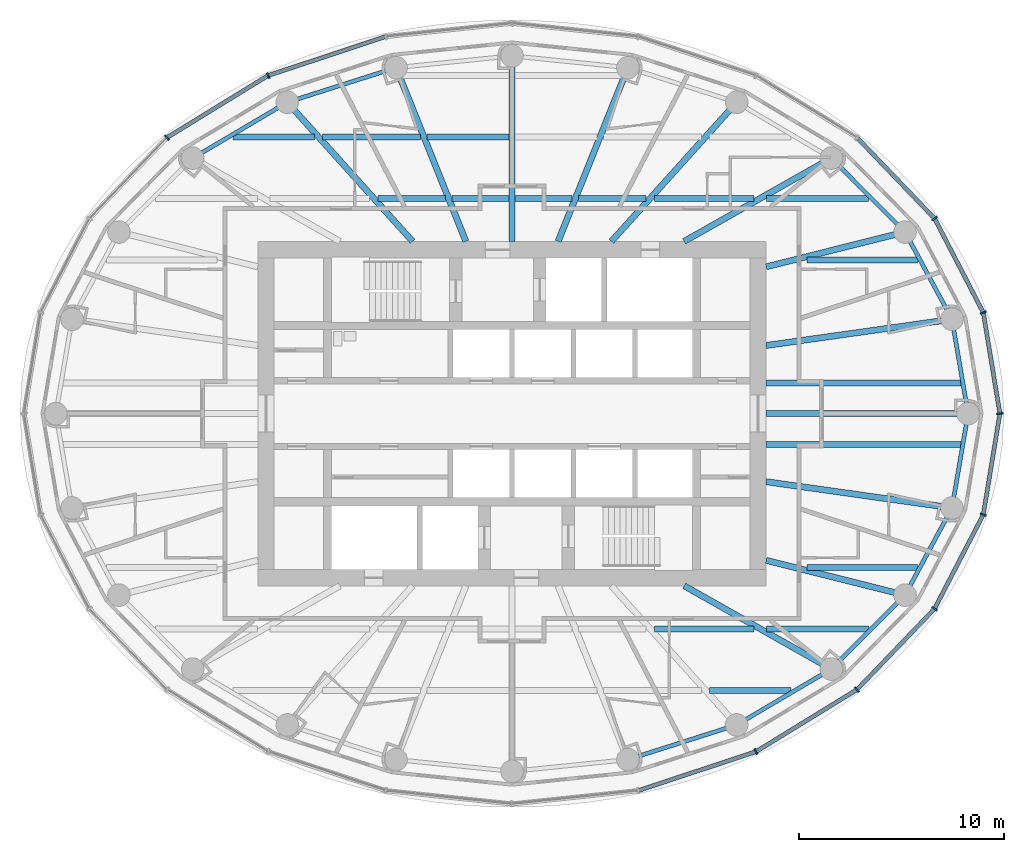
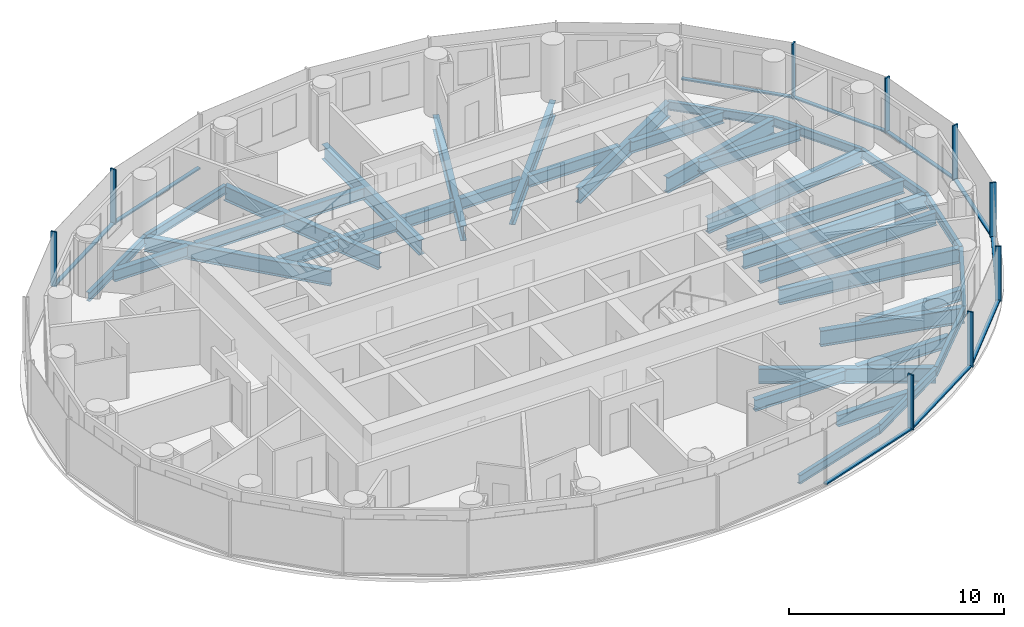
# One storey, part 3 of 16: 38 beams, 19 members, 3 elements without a shape of their own.
"""IFC4 building model written with IfcOpenShell, lengths in metres."""

import ifcopenshell
import ifcopenshell.guid

model = None  # the IFC model being written
_history = None  # IfcOwnerHistory: only IFC2X3 demands one
_inside = {}  # id of a spatial element -> (the spatial element, [elements in it])
_under = {}  # id of a project, library or spatial element -> (it, [spatial elements below it])
_declared = {}  # id of a project -> (the project, [libraries it declares])
_typed = {}  # id of a type object -> (the type object, [elements of that type])
_made_of = {}  # id of a material, layer set ... -> (it, [elements and type objects made of it])


def new_model(schema):
    """Start an empty IFC model of exactly this schema.

    Asked for "IFC4X3", IfcOpenShell would pick the latest addendum, in which some entities
    have other attributes; the version numbers below select the first issue.
    IFC2X3 requires an IfcOwnerHistory on every rooted entity: one is made here for all.
    """
    global model, _history
    if schema == "IFC4X3":
        model = ifcopenshell.file(schema_version=(4, 3, 0, 0))
    else:
        model = ifcopenshell.file(schema=schema)
    _inside.clear()
    _under.clear()
    _declared.clear()
    _typed.clear()
    _made_of.clear()
    _history = None
    if model.schema == "IFC2X3":
        org = make("IfcOrganization", Name="unknown")
        user = make(
            "IfcPersonAndOrganization",
            ThePerson=make("IfcPerson", FamilyName="unknown"),
            TheOrganization=org,
        )
        app = make(
            "IfcApplication",
            ApplicationDeveloper=org,
            Version="unknown",
            ApplicationFullName="unknown",
            ApplicationIdentifier="unknown",
        )
        _history = make(
            "IfcOwnerHistory",
            OwningUser=user,
            OwningApplication=app,
            ChangeAction="ADDED",
            CreationDate=0,
        )
    return model


def make(cls, **values):
    """One entity of the class cls with the attributes given. An attribute that is None is left unset."""
    return model.create_entity(
        cls, **{name: value for name, value in values.items() if value is not None}
    )


def rooted(cls, **values):
    """An entity with a GlobalId (a new one), such as an element, a storey or a relation."""
    return make(cls, GlobalId=ifcopenshell.guid.new(), OwnerHistory=_history, **values)


def si_unit(unit_type, name, prefix=None):
    """IfcSIUnit, for example si_unit("LENGTHUNIT", "METRE", prefix="MILLI")."""
    return make("IfcSIUnit", UnitType=unit_type, Prefix=prefix, Name=name)


def assignment(units):
    """IfcUnitAssignment: the units of a project."""
    return None if units is None else make("IfcUnitAssignment", Units=units)


def point(xyz):
    """IfcCartesianPoint."""
    return None if xyz is None else make("IfcCartesianPoint", Coordinates=xyz)


def direction(xyz):
    """IfcDirection."""
    return None if xyz is None else make("IfcDirection", DirectionRatios=xyz)


def frame(location, z_axis=None, x_axis=None):
    """IfcAxis2Placement3D, a coordinate frame: its origin and axes. An axis left out is left unset."""
    return make(
        "IfcAxis2Placement3D",
        Location=point(location),
        Axis=direction(z_axis),
        RefDirection=direction(x_axis),
    )


def frame_2d(location, x_axis=None):
    """IfcAxis2Placement2D, a coordinate frame in the plane: its origin and x axis."""
    return make(
        "IfcAxis2Placement2D", Location=point(location), RefDirection=direction(x_axis)
    )


def origin():
    """The frame at (0, 0, 0) with its axes left unset."""
    return frame((0.0, 0.0, 0.0))


def origin_2d():
    """The frame at (0, 0) in the plane with its x axis left unset."""
    return frame_2d((0.0, 0.0))


def place(relative_to, where):
    """IfcLocalPlacement: puts the frame where relative to a parent placement (None: the world)."""
    return make(
        "IfcLocalPlacement", PlacementRelTo=relative_to, RelativePlacement=where
    )


def context(
    kind, dimensions, precision=None, world=None, true_north=None, identifier=None
):
    """IfcGeometricRepresentationContext, for example the 3D "Model" context."""
    return make(
        "IfcGeometricRepresentationContext",
        ContextIdentifier=identifier,
        ContextType=kind,
        CoordinateSpaceDimension=dimensions,
        Precision=precision,
        WorldCoordinateSystem=world,
        TrueNorth=true_north,
    )


def subcontext(parent, identifier, kind, view, scale=None):
    """IfcGeometricRepresentationSubContext, for example "Body" below "Model"."""
    return make(
        "IfcGeometricRepresentationSubContext",
        ContextIdentifier=identifier,
        ContextType=kind,
        ParentContext=parent,
        TargetScale=scale,
        TargetView=view,
    )


def project(units=None, contexts=None):
    """IfcProject with its units and contexts."""
    return rooted(
        "IfcProject",
        Name="project",
        RepresentationContexts=contexts,
        UnitsInContext=assignment(units),
    )


def spatial(cls, under=None, at=None, **own):
    """A site, building, storey or space (cls), placed at a placement, below another one or the project."""
    s = rooted(cls, ObjectPlacement=at, **own)
    if under is not None:
        _under.setdefault(under.id(), (under, []))[1].append(s)
    return s


def profile(cls, at=None, kind="AREA", **sizes):
    """A parametric profile (cls). Its sizes go by their IFC names, for example OverallWidth=200.0."""
    return make(cls, ProfileType=kind, Position=at, **sizes)


def rectangle(**sizes):
    """IfcRectangleProfileDef."""
    return profile("IfcRectangleProfileDef", **sizes)


def i_section(**sizes):
    """IfcIShapeProfileDef."""
    return profile("IfcIShapeProfileDef", **sizes)


def extrude(swept, where, along, depth):
    """IfcExtrudedAreaSolid: the profile swept, set in the frame where, extruded along a direction by depth."""
    return make(
        "IfcExtrudedAreaSolid",
        SweptArea=swept,
        Position=where,
        ExtrudedDirection=direction(along),
        Depth=depth,
    )


def shape(context_of_items, identifier, shape_type, items):
    """IfcShapeRepresentation: the items that make up one representation, for example the "Body"."""
    return make(
        "IfcShapeRepresentation",
        ContextOfItems=context_of_items,
        RepresentationIdentifier=identifier,
        RepresentationType=shape_type,
        Items=items,
    )


def material(Name=None, Category=None):
    """IfcMaterial."""
    return make("IfcMaterial", Name=Name, Category=Category)


def material_profile(
    of_material, cross_section, Name=None, Category=None, Priority=None
):
    """IfcMaterialProfile: a cross section and its material."""
    return make(
        "IfcMaterialProfile",
        Name=Name,
        Material=of_material,
        Profile=cross_section,
        Priority=Priority,
        Category=Category,
    )


def profile_set(profiles, Name=None, composite=None):
    """IfcMaterialProfileSet."""
    return make(
        "IfcMaterialProfileSet",
        Name=Name,
        MaterialProfiles=profiles,
        CompositeProfile=composite,
    )


def made_of(thing, what):
    """Note that an element or type object is made of a material, layer set ...; save() writes the relation."""
    if what is not None:
        _made_of.setdefault(what.id(), (what, []))[1].append(thing)
    return thing


def type_object(cls, material=None, **own):
    """A type object (cls), such as IfcWallType, which elements share."""
    return made_of(rooted(cls, **own), material)


def element(
    cls,
    number,
    at=None,
    inside=None,
    cuts=None,
    type_object=None,
    material=None,
    context=None,
    identifier="Body",
    shape_type=None,
    held_by="IfcProductDefinitionShape",
    body=None,
    shapes=None,
    **own,
):
    """One element of the class cls, such as IfcWall. Its Tag is "e" and its number.

    at: its placement. inside: the storey or other place that contains it. cuts: it is an
    opening in that element (IfcRelVoidsElement). A single representation is given by context,
    identifier, shape_type and body (its items); several are given by shapes. held_by: the class
    of the entity that holds the representations. save() writes the other relations.
    """
    e = rooted(cls, Tag="e%d" % number, ObjectPlacement=at, **own)
    if body is not None:
        shapes = [shape(context, identifier, shape_type, body)]
    if shapes is not None:
        e.Representation = make(held_by, Representations=shapes)
    if inside is not None:
        _inside.setdefault(inside.id(), (inside, []))[1].append(e)
    if cuts is not None:
        rooted(
            "IfcRelVoidsElement", RelatingBuildingElement=cuts, RelatedOpeningElement=e
        )
    if type_object is not None:
        _typed.setdefault(type_object.id(), (type_object, []))[1].append(e)
    return made_of(e, material)


def aggregate(whole, parts):
    """IfcRelAggregates: a whole, such as a stair, and the parts it consists of."""
    return rooted("IfcRelAggregates", RelatingObject=whole, RelatedObjects=parts)


def save(model, path):
    """Write the relations noted so far, then the file.

    IfcRelAggregates (storeys below a building ...), IfcRelContainedInSpatialStructure (elements
    in a storey), IfcRelDefinesByType, IfcRelAssociatesMaterial and IfcRelDeclares: one each for
    every whole, place, type object, material and project.
    """
    for whole, parts in _under.values():
        aggregate(whole, parts)
    for where, things in _inside.values():
        rooted(
            "IfcRelContainedInSpatialStructure",
            RelatedElements=things,
            RelatingStructure=where,
        )
    for kind, things in _typed.values():
        rooted("IfcRelDefinesByType", RelatedObjects=things, RelatingType=kind)
    for what, things in _made_of.values():
        rooted("IfcRelAssociatesMaterial", RelatedObjects=things, RelatingMaterial=what)
    for by, libraries in _declared.values():
        rooted("IfcRelDeclares", RelatingContext=by, RelatedDefinitions=libraries)
    model.write(path)


model = new_model("IFC4")

# Units and contexts
model_context = context("Model", 3, precision=1e-05, world=origin(), true_north=direction((0.0, 1.0)))
body_context = subcontext(model_context, "Body", "Model", "MODEL_VIEW")
ifc_project = project(units=[si_unit("LENGTHUNIT", "METRE"), si_unit("AREAUNIT", "SQUARE_METRE"), si_unit("VOLUMEUNIT", "CUBIC_METRE"), si_unit("PLANEANGLEUNIT", "RADIAN"), si_unit("MASSUNIT", "GRAM", prefix="KILO")], contexts=[model_context])

# Site, building, storey
site_placement = place(None, origin())
site = spatial("IfcSite", under=ifc_project, at=site_placement, CompositionType="ELEMENT")
building_placement = place(site_placement, origin())
building = spatial("IfcBuilding", under=site, at=building_placement, Name="Hankou Lantern Tower", CompositionType="ELEMENT")
storey_placement = place(building_placement, frame((0.0, 0.0, 146.699951171875)))
storey = spatial("IfcBuildingStorey", under=building, at=storey_placement, Name="L38", CompositionType="ELEMENT", Elevation=146.699951171875)

# Beams
ifc_material_1 = material(Name="Steel Q355B", Category="steel")
ifc_material_profile_1 = material_profile(ifc_material_1, i_section(OverallWidth=0.199951171875, OverallDepth=0.5, WebThickness=0.010009765625, FlangeThickness=0.01611328125, FilletRadius=0.012939453125, at=origin_2d()), Name="HN500x200x10x16")
ifc_profile_set_1 = profile_set([ifc_material_profile_1], Name="Steel Q355B")
beam_type_1 = type_object("IfcBeamType", Name="EB5 RING BEAM HN500x200x10x16", PredefinedType="SPANDREL", material=ifc_profile_set_1)
beam_1_placement = place(storey_placement, frame((22.25, 0.0, -0.429931640625), z_axis=(-0.168680718946, 0.985670743735, 0.0), x_axis=(-0.985670743735, -0.168680718946, 0.0)))
element("IfcBeam", 1, at=beam_1_placement, inside=storey, type_object=beam_type_1, Name="Ring beam R01-R02 L38", PredefinedType="SPANDREL", context=body_context, shape_type="SweptSolid", body=[
    extrude(i_section(OverallWidth=0.199951171875, OverallDepth=0.5, WebThickness=0.010009765625, FlangeThickness=0.01611328125, FilletRadius=0.012939453125, at=origin_2d()), origin(), (0.0, 0.0, 1.0), 4.667724609375),
])
beam_2_placement = place(storey_placement, frame((21.462646484375, 4.600830078125, -0.429931640625), z_axis=(-0.474051612334, 0.880497057828, 0.0), x_axis=(-0.880497057828, -0.474051612334, 0.0)))
element("IfcBeam", 2, at=beam_2_placement, inside=storey, type_object=beam_type_1, Name="Ring beam R02-R03 L38", PredefinedType="SPANDREL", context=body_context, shape_type="SweptSolid", body=[
    extrude(i_section(OverallWidth=0.199951171875, OverallDepth=0.5, WebThickness=0.010009765625, FlangeThickness=0.01611328125, FilletRadius=0.012939453125, at=origin_2d()), origin(), (0.0, 0.0, 1.0), 4.831787109375),
])
beam_3_placement = place(storey_placement, frame((19.172119140625, 8.855224609375, -0.429931640625), z_axis=(-0.706147278092, 0.708064984054, 0.0), x_axis=(-0.708064984054, -0.706147278092, 0.0)))
element("IfcBeam", 3, at=beam_3_placement, inside=storey, type_object=beam_type_1, Name="Ring beam R03-R04 L38", PredefinedType="SPANDREL", context=body_context, shape_type="SweptSolid", body=[
    extrude(i_section(OverallWidth=0.199951171875, OverallDepth=0.5, WebThickness=0.010009765625, FlangeThickness=0.01611328125, FilletRadius=0.012939453125, at=origin_2d()), origin(), (0.0, 0.0, 1.0), 5.09228515625),
])
beam_4_placement = place(storey_placement, frame((-5.65283203125, 16.87744140625, -0.429931640625), z_axis=(-0.952790404271, -0.30362879562, 0.0), x_axis=(0.30362879562, -0.952790404271, 0.0)))
element("IfcBeam", 4, at=beam_4_placement, inside=storey, type_object=beam_type_1, Name="Ring beam R08-R09 L38", PredefinedType="SPANDREL", context=body_context, shape_type="SweptSolid", body=[
    extrude(i_section(OverallWidth=0.199951171875, OverallDepth=0.5, WebThickness=0.010009765625, FlangeThickness=0.01611328125, FilletRadius=0.012939453125, at=origin_2d()), origin(), (0.0, 0.0, 1.0), 5.56982421875),
])
beam_5_placement = place(storey_placement, frame((-10.959716796875, 15.186279296875, -0.429931640625), z_axis=(-0.861135888339, -0.508374843806, 0.0), x_axis=(0.508374843806, -0.861135888339, 0.0)))
element("IfcBeam", 5, at=beam_5_placement, inside=storey, type_object=beam_type_1, Name="Ring beam R09-R10 L38", PredefinedType="SPANDREL", context=body_context, shape_type="SweptSolid", body=[
    extrude(i_section(OverallWidth=0.199951171875, OverallDepth=0.5, WebThickness=0.010009765625, FlangeThickness=0.01611328125, FilletRadius=0.012939453125, at=origin_2d()), origin(), (0.0, 0.0, 1.0), 5.36083984375),
])
beam_6_placement = place(storey_placement, frame((5.65283203125, -16.87744140625, -0.429931640625), z_axis=(0.952790404271, 0.30362879562, 0.0), x_axis=(-0.30362879562, 0.952790404271, 0.0)))
element("IfcBeam", 6, at=beam_6_placement, inside=storey, type_object=beam_type_1, Name="Ring beam R20-R21 L38", PredefinedType="SPANDREL", context=body_context, shape_type="SweptSolid", body=[
    extrude(i_section(OverallWidth=0.199951171875, OverallDepth=0.5, WebThickness=0.010009765625, FlangeThickness=0.01611328125, FilletRadius=0.012939453125, at=origin_2d()), origin(), (0.0, 0.0, 1.0), 5.56982421875),
])
beam_7_placement = place(storey_placement, frame((10.959716796875, -15.186279296875, -0.429931640625), z_axis=(0.861135888339, 0.508374843806, 0.0), x_axis=(-0.508374843806, 0.861135888339, 0.0)))
element("IfcBeam", 7, at=beam_7_placement, inside=storey, type_object=beam_type_1, Name="Ring beam R21-R22 L38", PredefinedType="SPANDREL", context=body_context, shape_type="SweptSolid", body=[
    extrude(i_section(OverallWidth=0.199951171875, OverallDepth=0.5, WebThickness=0.010009765625, FlangeThickness=0.01611328125, FilletRadius=0.012939453125, at=origin_2d()), origin(), (0.0, 0.0, 1.0), 5.36083984375),
])
beam_8_placement = place(storey_placement, frame((15.576171875, -12.4609375, -0.429931640625), z_axis=(0.706147278092, 0.708064984054, 0.0), x_axis=(-0.708064984054, 0.706147278092, 0.0)))
element("IfcBeam", 8, at=beam_8_placement, inside=storey, type_object=beam_type_1, Name="Ring beam R22-R23 L38", PredefinedType="SPANDREL", context=body_context, shape_type="SweptSolid", body=[
    extrude(i_section(OverallWidth=0.199951171875, OverallDepth=0.5, WebThickness=0.010009765625, FlangeThickness=0.01611328125, FilletRadius=0.012939453125, at=origin_2d()), origin(), (0.0, 0.0, 1.0), 5.09228515625),
])
beam_9_placement = place(storey_placement, frame((19.172119140625, -8.855224609375, -0.429931640625), z_axis=(0.474051612334, 0.880497057828, 0.0), x_axis=(-0.880497057828, 0.474051612334, 0.0)))
element("IfcBeam", 9, at=beam_9_placement, inside=storey, type_object=beam_type_1, Name="Ring beam R23-R24 L38", PredefinedType="SPANDREL", context=body_context, shape_type="SweptSolid", body=[
    extrude(i_section(OverallWidth=0.199951171875, OverallDepth=0.5, WebThickness=0.010009765625, FlangeThickness=0.01611328125, FilletRadius=0.012939453125, at=origin_2d()), origin(), (0.0, 0.0, 1.0), 4.831787109375),
])
beam_10_placement = place(storey_placement, frame((21.462646484375, -4.600830078125, -0.429931640625), z_axis=(0.168680718946, 0.985670743735, 0.0), x_axis=(-0.985670743735, 0.168680718946, 0.0)))
element("IfcBeam", 10, at=beam_10_placement, inside=storey, type_object=beam_type_1, Name="Ring beam R24-R01 L38", PredefinedType="SPANDREL", context=body_context, shape_type="SweptSolid", body=[
    extrude(i_section(OverallWidth=0.199951171875, OverallDepth=0.5, WebThickness=0.010009765625, FlangeThickness=0.01611328125, FilletRadius=0.012939453125, at=origin_2d()), origin(), (0.0, 0.0, 1.0), 4.667724609375),
])

# Curtain wall, members
ifc_material_2 = material(Name="Glass, dark grey tinted laminated", Category="glass")
curtain_wall_type = type_object("IfcCurtainWallType", Name="CWC OUTER SKIN HIGH-RISE", PredefinedType="USERDEFINED", material=ifc_material_2)
curtain_wall_1_placement = place(storey_placement, origin())
curtain_wall_1 = element("IfcCurtainWall", 11, at=curtain_wall_1_placement, inside=storey, type_object=curtain_wall_type, Name="CWC L38 OS1", ObjectType="OUTER SKIN HIGH-RISE", PredefinedType="USERDEFINED")
ifc_material_3 = material(Name="Aluminium, black anodised", Category="aluminium")
ifc_material_profile_2 = material_profile(ifc_material_3, rectangle(XDim=0.080078125, YDim=0.300048828125, at=origin_2d()), Name="MU1 80X300")
ifc_profile_set_2 = profile_set([ifc_material_profile_2], Name="Aluminium, black anodised")
member_type_1 = type_object("IfcMemberType", Name="MU1 OUTER SKIN MULLION 80X300", PredefinedType="MULLION", material=ifc_profile_set_2)
member_1_placement = place(storey_placement, frame((23.800048828125, 0.0, 0.0), z_axis=(0.0, 0.0, 1.0), x_axis=(-0.162381515188, 0.986728049427, 0.0)))
member_1 = element("IfcMember", 12, at=member_1_placement, type_object=member_type_1, Name="CWC mullion 1", PredefinedType="MULLION", context=body_context, shape_type="SweptSolid", body=[
    extrude(rectangle(XDim=0.080078125, YDim=0.300048828125, at=origin_2d()), origin(), (0.0, 0.0, 1.0), 3.1201171875),
])
member_2_placement = place(storey_placement, frame((22.989013671875, 4.927978515625, 0.0), z_axis=(0.0, 0.0, 1.0), x_axis=(-0.317595577365, 0.94822626479, 0.0)))
member_2 = element("IfcMember", 13, at=member_2_placement, type_object=member_type_1, Name="CWC mullion 2", PredefinedType="MULLION", context=body_context, shape_type="SweptSolid", body=[
    extrude(rectangle(XDim=0.080078125, YDim=0.300048828125, at=origin_2d()), origin(), (0.0, 0.0, 1.0), 3.1201171875),
])
member_3_placement = place(storey_placement, frame((20.611328125, 9.52001953125, 0.0), z_axis=(0.0, 0.0, 1.0), x_axis=(-0.585205735974, 0.810884854084, 0.0)))
member_3 = element("IfcMember", 14, at=member_3_placement, type_object=member_type_1, Name="CWC mullion 3", PredefinedType="MULLION", context=body_context, shape_type="SweptSolid", body=[
    extrude(rectangle(XDim=0.080078125, YDim=0.300048828125, at=origin_2d()), origin(), (0.0, 0.0, 1.0), 3.1201171875),
])

curtain_wall_2_placement = place(storey_placement, origin())
curtain_wall_2 = element("IfcCurtainWall", 15, at=curtain_wall_2_placement, inside=storey, type_object=curtain_wall_type, Name="CWC L38 OS2", ObjectType="OUTER SKIN HIGH-RISE", PredefinedType="USERDEFINED")
member_4_placement = place(storey_placement, frame((-11.89990234375, 16.489013671875, 0.0), z_axis=(0.0, 0.0, 1.0), x_axis=(-0.907841299004, -0.419313934686, 0.0)))
member_4 = element("IfcMember", 16, at=member_4_placement, type_object=member_type_1, Name="CWC mullion 3", PredefinedType="MULLION", context=body_context, shape_type="SweptSolid", body=[
    extrude(rectangle(XDim=0.080078125, YDim=0.300048828125, at=origin_2d()), origin(), (0.0, 0.0, 1.0), 3.1201171875),
])
member_5_placement = place(storey_placement, frame((-16.8291015625, 13.46337890625, 0.0), z_axis=(0.0, 0.0, 1.0), x_axis=(-0.780868809444, -0.624695047553, 0.0)))
member_5 = element("IfcMember", 17, at=member_5_placement, type_object=member_type_1, Name="CWC mullion 4", PredefinedType="MULLION", context=body_context, shape_type="SweptSolid", body=[
    extrude(rectangle(XDim=0.080078125, YDim=0.300048828125, at=origin_2d()), origin(), (0.0, 0.0, 1.0), 3.1201171875),
])

curtain_wall_3_placement = place(storey_placement, origin())
curtain_wall_3 = element("IfcCurtainWall", 18, at=curtain_wall_3_placement, inside=storey, type_object=curtain_wall_type, Name="CWC L38 OS4", ObjectType="OUTER SKIN HIGH-RISE", PredefinedType="USERDEFINED")
member_6_placement = place(storey_placement, frame((11.89990234375, -16.489013671875, 0.0), z_axis=(0.0, 0.0, 1.0), x_axis=(0.907841299004, 0.419313934686, 0.0)))
member_6 = element("IfcMember", 19, at=member_6_placement, type_object=member_type_1, Name="CWC mullion 3", PredefinedType="MULLION", context=body_context, shape_type="SweptSolid", body=[
    extrude(rectangle(XDim=0.080078125, YDim=0.300048828125, at=origin_2d()), origin(), (0.0, 0.0, 1.0), 3.1201171875),
])
member_7_placement = place(storey_placement, frame((16.8291015625, -13.46337890625, 0.0), z_axis=(0.0, 0.0, 1.0), x_axis=(0.780868809444, 0.624695047553, 0.0)))
member_7 = element("IfcMember", 20, at=member_7_placement, type_object=member_type_1, Name="CWC mullion 4", PredefinedType="MULLION", context=body_context, shape_type="SweptSolid", body=[
    extrude(rectangle(XDim=0.080078125, YDim=0.300048828125, at=origin_2d()), origin(), (0.0, 0.0, 1.0), 3.1201171875),
])
member_8_placement = place(storey_placement, frame((20.611328125, -9.52001953125, 0.0), z_axis=(0.0, 0.0, 1.0), x_axis=(0.585205735974, 0.810884854084, 0.0)))
member_8 = element("IfcMember", 21, at=member_8_placement, type_object=member_type_1, Name="CWC mullion 5", PredefinedType="MULLION", context=body_context, shape_type="SweptSolid", body=[
    extrude(rectangle(XDim=0.080078125, YDim=0.300048828125, at=origin_2d()), origin(), (0.0, 0.0, 1.0), 3.1201171875),
])
member_9_placement = place(storey_placement, frame((22.989013671875, -4.927978515625, 0.0), z_axis=(0.0, 0.0, 1.0), x_axis=(0.317595577365, 0.94822626479, 0.0)))
member_9 = element("IfcMember", 22, at=member_9_placement, type_object=member_type_1, Name="CWC mullion 6", PredefinedType="MULLION", context=body_context, shape_type="SweptSolid", body=[
    extrude(rectangle(XDim=0.080078125, YDim=0.300048828125, at=origin_2d()), origin(), (0.0, 0.0, 1.0), 3.1201171875),
])

# Beams
ifc_material_4 = material(Name="Steel Q355B", Category="steel")
ifc_material_profile_3 = material_profile(ifc_material_4, i_section(OverallWidth=0.300048828125, OverallDepth=0.85009765625, WebThickness=0.01611328125, FlangeThickness=0.027099609375, FilletRadius=0.01806640625, at=origin_2d()), Name="HN850x300x16x27")
ifc_profile_set_3 = profile_set([ifc_material_profile_3], Name="Steel Q355B")
beam_type_2 = type_object("IfcBeamType", Name="RB12 RADIAL BEAM HN850x300x16x27", PredefinedType="BEAM", material=ifc_profile_set_3)
beam_11_placement = place(storey_placement, frame((12.39990234375, 0.0, -0.60498046875), z_axis=(1.0, 0.0, 0.0), x_axis=(0.0, 1.0, 0.0)))
element("IfcBeam", 23, at=beam_11_placement, inside=storey, type_object=beam_type_2, Name="Radial beam R01 L38", PredefinedType="BEAM", context=body_context, shape_type="SweptSolid", body=[
    extrude(i_section(OverallWidth=0.300048828125, OverallDepth=0.85009765625, WebThickness=0.01611328125, FlangeThickness=0.027099609375, FilletRadius=0.01806640625, at=origin_2d()), origin(), (0.0, 0.0, 1.0), 9.85009765625),
])
beam_12_placement = place(storey_placement, frame((12.39990234375, 3.322509765625, -0.60498046875), z_axis=(0.990198154617, 0.13966966239, 0.0), x_axis=(-0.13966966239, 0.990198154617, 0.0)))
element("IfcBeam", 24, at=beam_12_placement, inside=storey, type_object=beam_type_2, Name="Radial beam R02 L38", PredefinedType="BEAM", context=body_context, shape_type="SweptSolid", body=[
    extrude(i_section(OverallWidth=0.300048828125, OverallDepth=0.85009765625, WebThickness=0.01611328125, FlangeThickness=0.027099609375, FilletRadius=0.01806640625, at=origin_2d()), origin(), (0.0, 0.0, 1.0), 9.15234375),
])
beam_13_placement = place(storey_placement, frame((8.39990234375, 8.39990234375, -0.60498046875), z_axis=(0.870309058024, 0.492505983234, 0.0), x_axis=(-0.492505983234, 0.870309058024, 0.0)))
element("IfcBeam", 25, at=beam_13_placement, inside=storey, type_object=beam_type_2, Name="Radial beam R04 L38", PredefinedType="BEAM", context=body_context, shape_type="SweptSolid", body=[
    extrude(i_section(OverallWidth=0.300048828125, OverallDepth=0.85009765625, WebThickness=0.01611328125, FlangeThickness=0.027099609375, FilletRadius=0.01806640625, at=origin_2d()), origin(), (0.0, 0.0, 1.0), 8.24560546875),
])
beam_14_placement = place(storey_placement, frame((4.849853515625, 8.39990234375, -0.60498046875), z_axis=(0.669093231314, 0.743178476418, 0.0), x_axis=(-0.743178476418, 0.669093231314, 0.0)))
element("IfcBeam", 26, at=beam_14_placement, inside=storey, type_object=beam_type_2, Name="Radial beam R05 L38", PredefinedType="BEAM", context=body_context, shape_type="SweptSolid", body=[
    extrude(i_section(OverallWidth=0.300048828125, OverallDepth=0.85009765625, WebThickness=0.01611328125, FlangeThickness=0.027099609375, FilletRadius=0.01806640625, at=origin_2d()), origin(), (0.0, 0.0, 1.0), 9.131591796875),
])
beam_15_placement = place(storey_placement, frame((2.250732421875, 8.39990234375, -0.60498046875), z_axis=(0.372436468133, 0.928057690666, 0.0), x_axis=(-0.928057690666, 0.372436468133, 0.0)))
element("IfcBeam", 27, at=beam_15_placement, inside=storey, type_object=beam_type_2, Name="Radial beam R06 L38", PredefinedType="BEAM", context=body_context, shape_type="SweptSolid", body=[
    extrude(i_section(OverallWidth=0.300048828125, OverallDepth=0.85009765625, WebThickness=0.01611328125, FlangeThickness=0.027099609375, FilletRadius=0.01806640625, at=origin_2d()), origin(), (0.0, 0.0, 1.0), 9.134765625),
])
beam_16_placement = place(storey_placement, frame((0.0, 8.39990234375, -0.60498046875), z_axis=(0.0, 1.0, 0.0), x_axis=(-1.0, 0.0, 0.0)))
element("IfcBeam", 28, at=beam_16_placement, inside=storey, type_object=beam_type_2, Name="Radial beam R07 L38", PredefinedType="BEAM", context=body_context, shape_type="SweptSolid", body=[
    extrude(i_section(OverallWidth=0.300048828125, OverallDepth=0.85009765625, WebThickness=0.01611328125, FlangeThickness=0.027099609375, FilletRadius=0.01806640625, at=origin_2d()), origin(), (0.0, 0.0, 1.0), 9.050048828125),
])
beam_17_placement = place(storey_placement, frame((-2.250732421875, 8.39990234375, -0.60498046875), z_axis=(-0.372436468133, 0.928057690666, 0.0), x_axis=(-0.928057690666, -0.372436468133, 0.0)))
element("IfcBeam", 29, at=beam_17_placement, inside=storey, type_object=beam_type_2, Name="Radial beam R08 L38", PredefinedType="BEAM", context=body_context, shape_type="SweptSolid", body=[
    extrude(i_section(OverallWidth=0.300048828125, OverallDepth=0.85009765625, WebThickness=0.01611328125, FlangeThickness=0.027099609375, FilletRadius=0.01806640625, at=origin_2d()), origin(), (0.0, 0.0, 1.0), 9.134765625),
])
beam_18_placement = place(storey_placement, frame((-4.849853515625, 8.39990234375, -0.60498046875), z_axis=(-0.669093231314, 0.743178476418, 0.0), x_axis=(-0.743178476418, -0.669093231314, 0.0)))
element("IfcBeam", 30, at=beam_18_placement, inside=storey, type_object=beam_type_2, Name="Radial beam R09 L38", PredefinedType="BEAM", context=body_context, shape_type="SweptSolid", body=[
    extrude(i_section(OverallWidth=0.300048828125, OverallDepth=0.85009765625, WebThickness=0.01611328125, FlangeThickness=0.027099609375, FilletRadius=0.01806640625, at=origin_2d()), origin(), (0.0, 0.0, 1.0), 9.131591796875),
])
beam_19_placement = place(storey_placement, frame((8.39990234375, -8.39990234375, -0.60498046875), z_axis=(0.870309058024, -0.492505983234, 0.0), x_axis=(0.492505983234, 0.870309058024, 0.0)))
element("IfcBeam", 31, at=beam_19_placement, inside=storey, type_object=beam_type_2, Name="Radial beam R22 L38", PredefinedType="BEAM", context=body_context, shape_type="SweptSolid", body=[
    extrude(i_section(OverallWidth=0.300048828125, OverallDepth=0.85009765625, WebThickness=0.01611328125, FlangeThickness=0.027099609375, FilletRadius=0.01806640625, at=origin_2d()), origin(), (0.0, 0.0, 1.0), 8.24560546875),
])
beam_20_placement = place(storey_placement, frame((12.39990234375, -3.322509765625, -0.60498046875), z_axis=(0.990198154617, -0.13966966239, 0.0), x_axis=(0.13966966239, 0.990198154617, 0.0)))
element("IfcBeam", 32, at=beam_20_placement, inside=storey, type_object=beam_type_2, Name="Radial beam R24 L38", PredefinedType="BEAM", context=body_context, shape_type="SweptSolid", body=[
    extrude(i_section(OverallWidth=0.300048828125, OverallDepth=0.85009765625, WebThickness=0.01611328125, FlangeThickness=0.027099609375, FilletRadius=0.01806640625, at=origin_2d()), origin(), (0.0, 0.0, 1.0), 9.15234375),
])
ifc_material_5 = material(Name="Steel Q355B", Category="steel")
ifc_material_profile_4 = material_profile(ifc_material_5, i_section(OverallWidth=0.300048828125, OverallDepth=0.89990234375, WebThickness=0.01611328125, FlangeThickness=0.028076171875, FilletRadius=0.01806640625, at=origin_2d()), Name="HN900x300x16x28")
ifc_profile_set_4 = profile_set([ifc_material_profile_4], Name="Steel Q355B")
beam_type_3 = type_object("IfcBeamType", Name="RB13 RADIAL BEAM HN900x300x16x28", PredefinedType="BEAM", material=ifc_profile_set_4)
for number, where, z_axis, x_axis, name in (
    (33, (12.39990234375, 7.1591796875, -0.6298828125), (0.970041619568, 0.242938791274, 0.0), (-0.242938791274, 0.970041619568, 0.0), "Radial beam R03 L38"),
    (34, (12.39990234375, -7.1591796875, -0.6298828125), (0.970041619568, -0.242938791274, 0.0), (0.242938791274, 0.970041619568, 0.0), "Radial beam R23 L38"),
):
    element("IfcBeam", number, at=place(storey_placement, frame(where, z_axis=z_axis, x_axis=x_axis)), inside=storey, type_object=beam_type_3, Name=name, PredefinedType="BEAM", context=body_context, shape_type="SweptSolid", body=[
        extrude(i_section(OverallWidth=0.300048828125, OverallDepth=0.89990234375, WebThickness=0.01611328125, FlangeThickness=0.028076171875, FilletRadius=0.01806640625, at=origin_2d()), origin(), (0.0, 0.0, 1.0), 6.9814453125),
    ])
ifc_material_6 = material(Name="Steel Q355B", Category="steel")
ifc_material_profile_5 = material_profile(ifc_material_6, i_section(OverallWidth=0.300048828125, OverallDepth=0.75, WebThickness=0.012939453125, FlangeThickness=0.02392578125, FilletRadius=0.01806640625, at=origin_2d()), Name="HN750x300x13x24")
ifc_profile_set_5 = profile_set([ifc_material_profile_5], Name="Steel Q355B")
beam_type_4 = type_object("IfcBeamType", Name="SB10 SECONDARY BEAM HN750x300x13x24", PredefinedType="JOIST", material=ifc_profile_set_5)
for number, where, z_axis, x_axis, name in (
    (35, (12.39990234375, -1.5, -0.554931640625), (1.0, 0.0, 0.0), (0.0, 1.0, 0.0), "Floor joist J020 L38"),
    (36, (12.39990234375, 1.5, -0.554931640625), (1.0, 0.0, 0.0), (0.0, 1.0, 0.0), "Floor joist J022 L38"),
):
    element("IfcBeam", number, at=place(storey_placement, frame(where, z_axis=z_axis, x_axis=x_axis)), inside=storey, type_object=beam_type_4, Name=name, PredefinedType="JOIST", context=body_context, shape_type="SweptSolid", body=[
        extrude(i_section(OverallWidth=0.300048828125, OverallDepth=0.75, WebThickness=0.012939453125, FlangeThickness=0.02392578125, FilletRadius=0.01806640625, at=origin_2d()), origin(), (0.0, 0.0, 1.0), 9.491943359375),
    ])
ifc_material_7 = material(Name="Steel Q355B", Category="steel")
ifc_material_profile_6 = material_profile(ifc_material_7, i_section(OverallWidth=0.300048828125, OverallDepth=0.64990234375, WebThickness=0.010986328125, FlangeThickness=0.01708984375, FilletRadius=0.01806640625, at=origin_2d()), Name="HN650x300x11x17")
ifc_profile_set_6 = profile_set([ifc_material_profile_6], Name="Steel Q355B")
beam_type_5 = type_object("IfcBeamType", Name="SB8 SECONDARY BEAM HN650x300x11x17", PredefinedType="JOIST", material=ifc_profile_set_6)
beam_21_placement = place(storey_placement, frame((9.643310546875, -13.5, -0.5048828125), z_axis=(1.0, 0.0, 0.0), x_axis=(0.0, 1.0, 0.0)))
element("IfcBeam", 37, at=beam_21_placement, inside=storey, type_object=beam_type_5, Name="Floor joist J006 L38", PredefinedType="JOIST", context=body_context, shape_type="SweptSolid", body=[
    extrude(i_section(OverallWidth=0.300048828125, OverallDepth=0.64990234375, WebThickness=0.010986328125, FlangeThickness=0.01708984375, FilletRadius=0.01806640625, at=origin_2d()), origin(), (0.0, 0.0, 1.0), 3.97607421875),
])
beam_22_placement = place(storey_placement, frame((6.9423828125, -10.5, -0.5048828125), z_axis=(1.0, 0.0, 0.0), x_axis=(0.0, 1.0, 0.0)))
element("IfcBeam", 38, at=beam_22_placement, inside=storey, type_object=beam_type_5, Name="Floor joist J013 L38", PredefinedType="JOIST", context=body_context, shape_type="SweptSolid", body=[
    extrude(i_section(OverallWidth=0.300048828125, OverallDepth=0.64990234375, WebThickness=0.010986328125, FlangeThickness=0.01708984375, FilletRadius=0.01806640625, at=origin_2d()), origin(), (0.0, 0.0, 1.0), 4.864013671875),
])
beam_23_placement = place(storey_placement, frame((12.41552734375, -10.5, -0.5048828125), z_axis=(1.0, 0.0, 0.0), x_axis=(0.0, 1.0, 0.0)))
element("IfcBeam", 39, at=beam_23_placement, inside=storey, type_object=beam_type_5, Name="Floor joist J014 L38", PredefinedType="JOIST", context=body_context, shape_type="SweptSolid", body=[
    extrude(i_section(OverallWidth=0.300048828125, OverallDepth=0.64990234375, WebThickness=0.010986328125, FlangeThickness=0.01708984375, FilletRadius=0.01806640625, at=origin_2d()), origin(), (0.0, 0.0, 1.0), 4.97509765625),
])
for number, where, z_axis, x_axis, name in (
    (40, (14.37841796875, -7.5, -0.5048828125), (1.0, 0.0, 0.0), (0.0, 1.0, 0.0), "Floor joist J016 L38"),
    (41, (14.37841796875, 7.5, -0.5048828125), (1.0, 0.0, 0.0), (0.0, 1.0, 0.0), "Floor joist J026 L38"),
):
    element("IfcBeam", number, at=place(storey_placement, frame(where, z_axis=z_axis, x_axis=x_axis)), inside=storey, type_object=beam_type_5, Name=name, PredefinedType="JOIST", context=body_context, shape_type="SweptSolid", body=[
        extrude(i_section(OverallWidth=0.300048828125, OverallDepth=0.64990234375, WebThickness=0.010986328125, FlangeThickness=0.01708984375, FilletRadius=0.01806640625, at=origin_2d()), origin(), (0.0, 0.0, 1.0), 5.409912109375),
    ])
beam_24_placement = place(storey_placement, frame((-6.53857421875, 10.5, -0.5048828125), z_axis=(1.0, 0.0, 0.0), x_axis=(0.0, 1.0, 0.0)))
element("IfcBeam", 42, at=beam_24_placement, inside=storey, type_object=beam_type_5, Name="Floor joist J029 L38", PredefinedType="JOIST", context=body_context, shape_type="SweptSolid", body=[
    extrude(i_section(OverallWidth=0.300048828125, OverallDepth=0.64990234375, WebThickness=0.010986328125, FlangeThickness=0.01708984375, FilletRadius=0.01806640625, at=origin_2d()), origin(), (0.0, 0.0, 1.0), 3.283447265625),
])
for number, where, z_axis, x_axis, name in (
    (43, (-2.931884765625, 10.5, -0.5048828125), (1.0, 0.0, 0.0), (0.0, 1.0, 0.0), "Floor joist J030 L38"),
    (44, (0.14990234375, 10.5, -0.5048828125), (1.0, 0.0, 0.0), (0.0, 1.0, 0.0), "Floor joist J031 L38"),
):
    element("IfcBeam", number, at=place(storey_placement, frame(where, z_axis=z_axis, x_axis=x_axis)), inside=storey, type_object=beam_type_5, Name=name, PredefinedType="JOIST", context=body_context, shape_type="SweptSolid", body=[
        extrude(i_section(OverallWidth=0.300048828125, OverallDepth=0.64990234375, WebThickness=0.010986328125, FlangeThickness=0.01708984375, FilletRadius=0.01806640625, at=origin_2d()), origin(), (0.0, 0.0, 1.0), 2.781982421875),
    ])
beam_25_placement = place(storey_placement, frame((3.255126953125, 10.5, -0.5048828125), z_axis=(1.0, 0.0, 0.0), x_axis=(0.0, 1.0, 0.0)))
element("IfcBeam", 45, at=beam_25_placement, inside=storey, type_object=beam_type_5, Name="Floor joist J032 L38", PredefinedType="JOIST", context=body_context, shape_type="SweptSolid", body=[
    extrude(i_section(OverallWidth=0.300048828125, OverallDepth=0.64990234375, WebThickness=0.010986328125, FlangeThickness=0.01708984375, FilletRadius=0.01806640625, at=origin_2d()), origin(), (0.0, 0.0, 1.0), 3.283447265625),
])
beam_26_placement = place(storey_placement, frame((6.9423828125, 10.5, -0.5048828125), z_axis=(1.0, 0.0, 0.0), x_axis=(0.0, 1.0, 0.0)))
element("IfcBeam", 46, at=beam_26_placement, inside=storey, type_object=beam_type_5, Name="Floor joist J033 L38", PredefinedType="JOIST", context=body_context, shape_type="SweptSolid", body=[
    extrude(i_section(OverallWidth=0.300048828125, OverallDepth=0.64990234375, WebThickness=0.010986328125, FlangeThickness=0.01708984375, FilletRadius=0.01806640625, at=origin_2d()), origin(), (0.0, 0.0, 1.0), 4.864013671875),
])
beam_27_placement = place(storey_placement, frame((12.41552734375, 10.5, -0.5048828125), z_axis=(1.0, 0.0, 0.0), x_axis=(0.0, 1.0, 0.0)))
element("IfcBeam", 47, at=beam_27_placement, inside=storey, type_object=beam_type_5, Name="Floor joist J034 L38", PredefinedType="JOIST", context=body_context, shape_type="SweptSolid", body=[
    extrude(i_section(OverallWidth=0.300048828125, OverallDepth=0.64990234375, WebThickness=0.010986328125, FlangeThickness=0.01708984375, FilletRadius=0.01806640625, at=origin_2d()), origin(), (0.0, 0.0, 1.0), 4.97509765625),
])
beam_28_placement = place(storey_placement, frame((-13.619384765625, 13.5, -0.5048828125), z_axis=(1.0, 0.0, 0.0), x_axis=(0.0, 1.0, 0.0)))
element("IfcBeam", 48, at=beam_28_placement, inside=storey, type_object=beam_type_5, Name="Floor joist J035 L38", PredefinedType="JOIST", context=body_context, shape_type="SweptSolid", body=[
    extrude(i_section(OverallWidth=0.300048828125, OverallDepth=0.64990234375, WebThickness=0.010986328125, FlangeThickness=0.01708984375, FilletRadius=0.01806640625, at=origin_2d()), origin(), (0.0, 0.0, 1.0), 3.97607421875),
])
beam_29_placement = place(storey_placement, frame((-9.23974609375, 13.5, -0.5048828125), z_axis=(1.0, 0.0, 0.0), x_axis=(0.0, 1.0, 0.0)))
element("IfcBeam", 49, at=beam_29_placement, inside=storey, type_object=beam_type_5, Name="Floor joist J036 L38", PredefinedType="JOIST", context=body_context, shape_type="SweptSolid", body=[
    extrude(i_section(OverallWidth=0.300048828125, OverallDepth=0.64990234375, WebThickness=0.010986328125, FlangeThickness=0.01708984375, FilletRadius=0.01806640625, at=origin_2d()), origin(), (0.0, 0.0, 1.0), 4.780517578125),
])
beam_30_placement = place(storey_placement, frame((-4.135986328125, 13.5, -0.5048828125), z_axis=(1.0, 0.0, 0.0), x_axis=(0.0, 1.0, 0.0)))
element("IfcBeam", 50, at=beam_30_placement, inside=storey, type_object=beam_type_5, Name="Floor joist J037 L38", PredefinedType="JOIST", context=body_context, shape_type="SweptSolid", body=[
    extrude(i_section(OverallWidth=0.300048828125, OverallDepth=0.64990234375, WebThickness=0.010986328125, FlangeThickness=0.01708984375, FilletRadius=0.01806640625, at=origin_2d()), origin(), (0.0, 0.0, 1.0), 3.986083984375),
])

# Member
ifc_material_8 = material(Name="Aluminium, black anodised", Category="aluminium")
ifc_material_profile_7 = material_profile(ifc_material_8, rectangle(XDim=0.199951171875, YDim=0.080078125, at=origin_2d()), Name="TR1 200X80")
ifc_profile_set_7 = profile_set([ifc_material_profile_7], Name="Aluminium, black anodised")
member_type_2 = type_object("IfcMemberType", Name="TR1 OUTER SKIN TRANSOM 200X80", PredefinedType="USERDEFINED", material=ifc_profile_set_7)
member_10_placement = place(storey_placement, frame((23.79345703125, 0.03955078125, 0.0400390625), z_axis=(-0.162360337061, 0.986731534385, 0.0), x_axis=(-0.986731534385, -0.162360337061, 0.0)))
member_10 = element("IfcMember", 51, at=member_10_placement, type_object=member_type_2, Name="CWC transom 1", ObjectType="TRANSOM", PredefinedType="USERDEFINED", context=body_context, shape_type="SweptSolid", body=[
    extrude(rectangle(XDim=0.199951171875, YDim=0.080078125, at=origin_2d()), origin(), (0.0, 0.0, 1.0), 4.9140625),
])

member_11_placement = place(storey_placement, frame((22.970703125, 4.96337890625, 0.0400390625), z_axis=(-0.459790772977, 0.888027277219, 0.0), x_axis=(-0.888027277219, -0.459790772977, 0.0)))
member_11 = element("IfcMember", 52, at=member_11_placement, type_object=member_type_2, Name="CWC transom 2", ObjectType="TRANSOM", PredefinedType="USERDEFINED", context=body_context, shape_type="SweptSolid", body=[
    extrude(rectangle(XDim=0.199951171875, YDim=0.080078125, at=origin_2d()), origin(), (0.0, 0.0, 1.0), 5.091064453125),
])

member_12_placement = place(storey_placement, frame((20.583740234375, 9.548828125, 0.0400390625), z_axis=(-0.692215543831, 0.721690820836, 0.0), x_axis=(-0.721690820836, -0.692215543831, 0.0)))
member_12 = element("IfcMember", 53, at=member_12_placement, type_object=member_type_2, Name="CWC transom 3", ObjectType="TRANSOM", PredefinedType="USERDEFINED", context=body_context, shape_type="SweptSolid", body=[
    extrude(rectangle(XDim=0.199951171875, YDim=0.080078125, at=origin_2d()), origin(), (0.0, 0.0, 1.0), 5.3837890625),
])

aggregate(curtain_wall_1, [member_1, member_2, member_3, member_10, member_11, member_12])

member_13_placement = place(storey_placement, frame((-6.19775390625, 18.378662109375, 0.0400390625), z_axis=(-0.949242327551, -0.314545709849, 0.0), x_axis=(0.314545709849, -0.949242327551, 0.0)))
member_13 = element("IfcMember", 54, at=member_13_placement, type_object=member_type_2, Name="CWC transom 2", ObjectType="TRANSOM", PredefinedType="USERDEFINED", context=body_context, shape_type="SweptSolid", body=[
    extrude(rectangle(XDim=0.199951171875, YDim=0.080078125, at=origin_2d()), origin(), (0.0, 0.0, 1.0), 5.96728515625),
])

member_14_placement = place(storey_placement, frame((-11.93408203125, 16.46826171875, 0.0400390625), z_axis=(-0.852229482357, -0.523168146394, 0.0), x_axis=(0.523168146394, -0.852229482357, 0.0)))
member_14 = element("IfcMember", 55, at=member_14_placement, type_object=member_type_2, Name="CWC transom 3", ObjectType="TRANSOM", PredefinedType="USERDEFINED", context=body_context, shape_type="SweptSolid", body=[
    extrude(rectangle(XDim=0.199951171875, YDim=0.080078125, at=origin_2d()), origin(), (0.0, 0.0, 1.0), 5.703857421875),
])

aggregate(curtain_wall_2, [member_4, member_5, member_13, member_14])

member_15_placement = place(storey_placement, frame((6.19775390625, -18.378662109375, 0.0400390625), z_axis=(0.949242327551, 0.314545709849, 0.0), x_axis=(-0.314545709849, 0.949242327551, 0.0)))
member_15 = element("IfcMember", 56, at=member_15_placement, type_object=member_type_2, Name="CWC transom 2", ObjectType="TRANSOM", PredefinedType="USERDEFINED", context=body_context, shape_type="SweptSolid", body=[
    extrude(rectangle(XDim=0.199951171875, YDim=0.080078125, at=origin_2d()), origin(), (0.0, 0.0, 1.0), 5.96728515625),
])

member_16_placement = place(storey_placement, frame((11.93408203125, -16.46826171875, 0.0400390625), z_axis=(0.852229482357, 0.523168146394, 0.0), x_axis=(-0.523168146394, 0.852229482357, 0.0)))
member_16 = element("IfcMember", 57, at=member_16_placement, type_object=member_type_2, Name="CWC transom 3", ObjectType="TRANSOM", PredefinedType="USERDEFINED", context=body_context, shape_type="SweptSolid", body=[
    extrude(rectangle(XDim=0.199951171875, YDim=0.080078125, at=origin_2d()), origin(), (0.0, 0.0, 1.0), 5.703857421875),
])

member_17_placement = place(storey_placement, frame((16.85693359375, -13.434326171875, 0.0400390625), z_axis=(0.692215543831, 0.721690820836, 0.0), x_axis=(-0.721690820836, 0.692215543831, 0.0)))
member_17 = element("IfcMember", 58, at=member_17_placement, type_object=member_type_2, Name="CWC transom 4", ObjectType="TRANSOM", PredefinedType="USERDEFINED", context=body_context, shape_type="SweptSolid", body=[
    extrude(rectangle(XDim=0.199951171875, YDim=0.080078125, at=origin_2d()), origin(), (0.0, 0.0, 1.0), 5.3837890625),
])

member_18_placement = place(storey_placement, frame((20.6298828125, -9.484375, 0.0400390625), z_axis=(0.459790772977, 0.888027277219, 0.0), x_axis=(-0.888027277219, 0.459790772977, 0.0)))
member_18 = element("IfcMember", 59, at=member_18_placement, type_object=member_type_2, Name="CWC transom 5", ObjectType="TRANSOM", PredefinedType="USERDEFINED", context=body_context, shape_type="SweptSolid", body=[
    extrude(rectangle(XDim=0.199951171875, YDim=0.080078125, at=origin_2d()), origin(), (0.0, 0.0, 1.0), 5.091064453125),
])

member_19_placement = place(storey_placement, frame((22.99560546875, -4.888427734375, 0.0400390625), z_axis=(0.162360337061, 0.986731534385, 0.0), x_axis=(-0.986731534385, 0.162360337061, 0.0)))
member_19 = element("IfcMember", 60, at=member_19_placement, type_object=member_type_2, Name="CWC transom 6", ObjectType="TRANSOM", PredefinedType="USERDEFINED", context=body_context, shape_type="SweptSolid", body=[
    extrude(rectangle(XDim=0.199951171875, YDim=0.080078125, at=origin_2d()), origin(), (0.0, 0.0, 1.0), 4.9140625),
])

aggregate(curtain_wall_3, [member_6, member_7, member_8, member_9, member_15, member_16, member_17, member_18, member_19])

save(model, "model.ifc")
